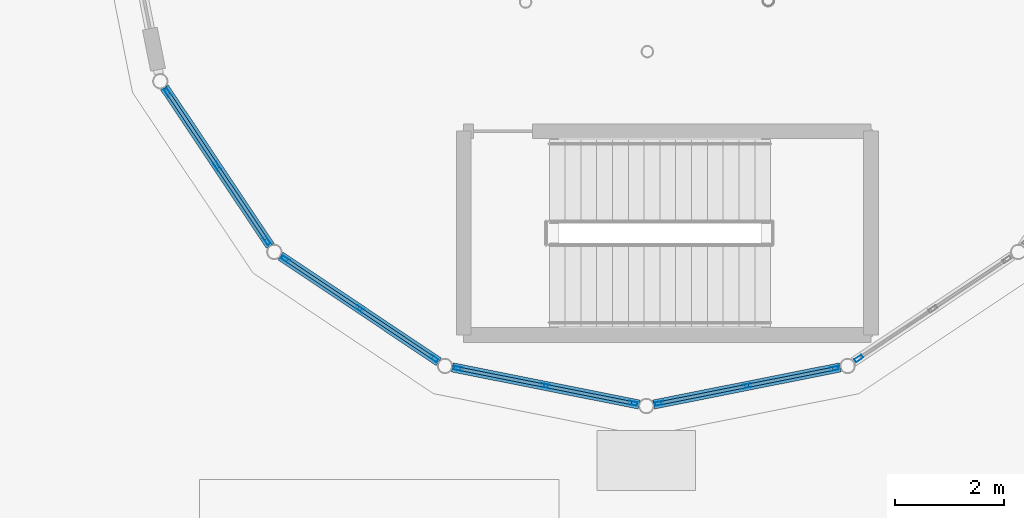
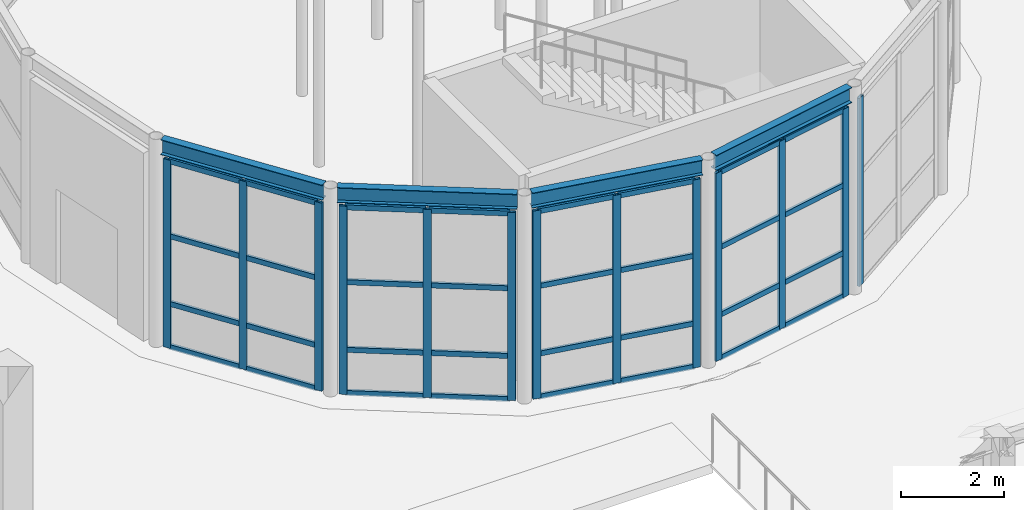
# One storey, part 14 of 57: 45 members, 4 beams, 5 elements without a shape of their own.
"""IFC4 building model written with IfcOpenShell, lengths in metres."""

from ifc_helpers import new_model, si_unit, direction, frame, origin, origin_2d, place, context, subcontext, project, spatial, hollow_rectangle, i_section, extrude, material, layer, layer_set, material_profile, profile_set, type_object, element, aggregate, save


model = new_model("IFC4")

# Units and contexts
model_context = context("Model", 3, precision=1e-05, world=origin(), true_north=direction((0.0, 1.0)))
body_context = subcontext(model_context, "Body", "Model", "MODEL_VIEW")
ifc_project = project(units=[si_unit("LENGTHUNIT", "METRE"), si_unit("AREAUNIT", "SQUARE_METRE"), si_unit("VOLUMEUNIT", "CUBIC_METRE"), si_unit("PLANEANGLEUNIT", "RADIAN"), si_unit("MASSUNIT", "GRAM", prefix="KILO")], contexts=[model_context])

# Site, building, storey
site_placement = place(None, origin())
site = spatial("IfcSite", under=ifc_project, at=site_placement, CompositionType="ELEMENT")
building_placement = place(site_placement, origin())
building = spatial("IfcBuilding", under=site, at=building_placement, Name="Kharisveld Research Institute", CompositionType="ELEMENT")
storey_placement = place(building_placement, origin())
storey = spatial("IfcBuildingStorey", under=building, at=storey_placement, Name="L00", CompositionType="ELEMENT", Elevation=0.0)

# Beams
ifc_material_1 = material(Name="Steel S355JR", Category="steel")
ifc_material_profile_1 = material_profile(ifc_material_1, i_section(OverallWidth=0.169921875, OverallDepth=0.360107421875, WebThickness=0.008056640625, FlangeThickness=0.0126953125, at=origin_2d()))
ifc_profile_set_1 = profile_set([ifc_material_profile_1], Name="Steel S355JR")
beam_type = type_object("IfcBeamType", Name="BM_ST_IPE360", PredefinedType="BEAM", material=ifc_profile_set_1)
for number, where, z_axis, x_axis, name in (
    (1, (50.660400390625, 46.99365234375, 4.739990234375), (0.555554925885, -0.831479839999, 0.0), (0.831479839999, 0.555554925885, 0.0), "BM:V6:L00:RING09"),
    (2, (52.789794921875, 43.900634765625, 4.739990234375), (0.831479839999, -0.555554925885, 0.0), (0.555554925885, 0.831479839999, 0.0), "BM:V6:L00:RING10"),
    (3, (55.94091796875, 41.85791015625, 4.739990234375), (0.980781809383, -0.195107771204, 0.0), (0.195107771204, 0.980781809383, 0.0), "BM:V6:L00:RING11"),
    (4, (59.6337890625, 41.176513671875, 4.739990234375), (0.980781809383, 0.195107771204, 0.0), (-0.195107771204, 0.980781809383, 0.0), "BM:V6:L00:RING12"),
):
    element("IfcBeam", number, at=place(storey_placement, frame(where, z_axis=z_axis, x_axis=x_axis)), inside=storey, type_object=beam_type, Name=name, PredefinedType="BEAM", context=body_context, shape_type="SweptSolid", body=[
        extrude(i_section(OverallWidth=0.169921875, OverallDepth=0.360107421875, WebThickness=0.008056640625, FlangeThickness=0.0126953125, at=origin_2d()), origin(), (0.0, 0.0, 1.0), 3.492431640625),
    ])

# Curtain wall, members
ifc_material_2 = material(Name="Thermally Broken Aluminium Curtain Wall", Category="aluminium")
ifc_layer_1 = layer(ifc_material_2, 0.159912109375)
ifc_layer_set_1 = layer_set([ifc_layer_1], Name="CW_SYS_06")
curtain_wall_type_1 = type_object("IfcCurtainWallType", Name="CW_SYS_06", PredefinedType="NOTDEFINED", material=ifc_layer_set_1)
curtain_wall_1_placement = place(storey_placement, origin())
curtain_wall_1 = element("IfcCurtainWall", 5, at=curtain_wall_1_placement, inside=storey, type_object=curtain_wall_type_1, Name="CW:V6:L00:CHORD09", PredefinedType="NOTDEFINED")
ifc_material_3 = material(Name="Anodised Aluminium AW-6063-T6", Category="aluminium")
ifc_material_profile_2 = material_profile(ifc_material_3, hollow_rectangle(XDim=0.06494140625, YDim=0.159912109375, WallThickness=0.00390625, at=origin_2d()))
ifc_profile_set_2 = profile_set([ifc_material_profile_2], Name="Anodised Aluminium AW-6063-T6")
member_type_1 = type_object("IfcMemberType", Name="CW_MUL_160", PredefinedType="MULLION", material=ifc_profile_set_2)
member_1_placement = place(storey_placement, frame((52.538818359375, 44.18212890625, 0.0), z_axis=(0.0, 0.0, 1.0), x_axis=(-0.831469694616, -0.555570109828, 0.0)))
member_1 = element("IfcMember", 6, at=member_1_placement, type_object=member_type_1, Name="CW-06 mullion 1", PredefinedType="MULLION", context=body_context, shape_type="SweptSolid", body=[
    extrude(hollow_rectangle(XDim=0.06494140625, YDim=0.159912109375, WallThickness=0.00390625, at=origin_2d()), origin(), (0.0, 0.0, 1.0), 4.449951171875),
])
member_2_placement = place(storey_placement, frame((51.63037109375, 45.541748046875, 0.0), z_axis=(0.0, 0.0, 1.0), x_axis=(-0.831469694616, -0.555570109828, 0.0)))
member_2 = element("IfcMember", 7, at=member_2_placement, type_object=member_type_1, Name="CW-06 mullion 2", PredefinedType="MULLION", context=body_context, shape_type="SweptSolid", body=[
    extrude(hollow_rectangle(XDim=0.06494140625, YDim=0.159912109375, WallThickness=0.00390625, at=origin_2d()), origin(), (0.0, 0.0, 1.0), 4.449951171875),
])
member_3_placement = place(storey_placement, frame((50.72216796875, 46.9013671875, 0.0), z_axis=(0.0, 0.0, 1.0), x_axis=(-0.831469694616, -0.555570109828, 0.0)))
member_3 = element("IfcMember", 8, at=member_3_placement, type_object=member_type_1, Name="CW-06 mullion 3", PredefinedType="MULLION", context=body_context, shape_type="SweptSolid", body=[
    extrude(hollow_rectangle(XDim=0.06494140625, YDim=0.159912109375, WallThickness=0.00390625, at=origin_2d()), origin(), (0.0, 0.0, 1.0), 4.449951171875),
])

ifc_material_4 = material(Name="Thermally Broken Aluminium Curtain Wall", Category="aluminium")
ifc_layer_2 = layer(ifc_material_4, 0.159912109375)
ifc_layer_set_2 = layer_set([ifc_layer_2], Name="CW_SYS_01")
curtain_wall_type_2 = type_object("IfcCurtainWallType", Name="CW_SYS_01", PredefinedType="NOTDEFINED", material=ifc_layer_set_2)
curtain_wall_2_placement = place(storey_placement, origin())
curtain_wall_2 = element("IfcCurtainWall", 9, at=curtain_wall_2_placement, inside=storey, type_object=curtain_wall_type_2, Name="CW:V6:L00:CHORD10", PredefinedType="NOTDEFINED")
member_4_placement = place(storey_placement, frame((55.601318359375, 42.02197265625, 0.0), z_axis=(0.0, 0.0, 1.0), x_axis=(-0.555570109828, -0.831469694616, 0.0)))
member_4 = element("IfcMember", 10, at=member_4_placement, type_object=member_type_1, Name="CW-01 mullion 1", PredefinedType="MULLION", context=body_context, shape_type="SweptSolid", body=[
    extrude(hollow_rectangle(XDim=0.06494140625, YDim=0.159912109375, WallThickness=0.00390625, at=origin_2d()), origin(), (0.0, 0.0, 1.0), 4.449951171875),
])
member_5_placement = place(storey_placement, frame((54.24169921875, 42.930419921875, 0.0), z_axis=(0.0, 0.0, 1.0), x_axis=(-0.555570109828, -0.831469694616, 0.0)))
member_5 = element("IfcMember", 11, at=member_5_placement, type_object=member_type_1, Name="CW-01 mullion 2", PredefinedType="MULLION", context=body_context, shape_type="SweptSolid", body=[
    extrude(hollow_rectangle(XDim=0.06494140625, YDim=0.159912109375, WallThickness=0.00390625, at=origin_2d()), origin(), (0.0, 0.0, 1.0), 4.449951171875),
])
member_6_placement = place(storey_placement, frame((52.88232421875, 43.8388671875, 0.0), z_axis=(0.0, 0.0, 1.0), x_axis=(-0.555570109828, -0.831469694616, 0.0)))
member_6 = element("IfcMember", 12, at=member_6_placement, type_object=member_type_1, Name="CW-01 mullion 3", PredefinedType="MULLION", context=body_context, shape_type="SweptSolid", body=[
    extrude(hollow_rectangle(XDim=0.06494140625, YDim=0.159912109375, WallThickness=0.00390625, at=origin_2d()), origin(), (0.0, 0.0, 1.0), 4.449951171875),
])

ifc_material_5 = material(Name="Thermally Broken Aluminium Curtain Wall", Category="aluminium")
ifc_layer_3 = layer(ifc_material_5, 0.159912109375)
ifc_layer_set_3 = layer_set([ifc_layer_3], Name="CW_SYS_02")
curtain_wall_type_3 = type_object("IfcCurtainWallType", Name="CW_SYS_02", PredefinedType="NOTDEFINED", material=ifc_layer_set_3)
curtain_wall_3_placement = place(storey_placement, origin())
curtain_wall_3 = element("IfcCurtainWall", 13, at=curtain_wall_3_placement, inside=storey, type_object=curtain_wall_type_3, Name="CW:V6:L00:CHORD11", PredefinedType="NOTDEFINED")
member_7_placement = place(storey_placement, frame((59.25732421875, 41.1982421875, 0.0), z_axis=(0.0, 0.0, 1.0), x_axis=(-0.195090730724, -0.980785199106, 0.0)))
member_7 = element("IfcMember", 14, at=member_7_placement, type_object=member_type_1, Name="CW-02 mullion 1", PredefinedType="MULLION", context=body_context, shape_type="SweptSolid", body=[
    extrude(hollow_rectangle(XDim=0.06494140625, YDim=0.159912109375, WallThickness=0.00390625, at=origin_2d()), origin(), (0.0, 0.0, 1.0), 4.449951171875),
])
member_8_placement = place(storey_placement, frame((57.653564453125, 41.517333984375, 0.0), z_axis=(0.0, 0.0, 1.0), x_axis=(-0.195090730724, -0.980785199106, 0.0)))
member_8 = element("IfcMember", 15, at=member_8_placement, type_object=member_type_1, Name="CW-02 mullion 2", PredefinedType="MULLION", context=body_context, shape_type="SweptSolid", body=[
    extrude(hollow_rectangle(XDim=0.06494140625, YDim=0.159912109375, WallThickness=0.00390625, at=origin_2d()), origin(), (0.0, 0.0, 1.0), 4.449951171875),
])
member_9_placement = place(storey_placement, frame((56.0498046875, 41.836181640625, 0.0), z_axis=(0.0, 0.0, 1.0), x_axis=(-0.195090730724, -0.980785199106, 0.0)))
member_9 = element("IfcMember", 16, at=member_9_placement, type_object=member_type_1, Name="CW-02 mullion 3", PredefinedType="MULLION", context=body_context, shape_type="SweptSolid", body=[
    extrude(hollow_rectangle(XDim=0.06494140625, YDim=0.159912109375, WallThickness=0.00390625, at=origin_2d()), origin(), (0.0, 0.0, 1.0), 4.449951171875),
])

ifc_material_6 = material(Name="Thermally Broken Aluminium Curtain Wall", Category="aluminium")
ifc_layer_4 = layer(ifc_material_6, 0.159912109375)
ifc_layer_set_4 = layer_set([ifc_layer_4], Name="CW_SYS_03")
curtain_wall_type_4 = type_object("IfcCurtainWallType", Name="CW_SYS_03", PredefinedType="NOTDEFINED", material=ifc_layer_set_4)
curtain_wall_4_placement = place(storey_placement, origin())
curtain_wall_4 = element("IfcCurtainWall", 17, at=curtain_wall_4_placement, inside=storey, type_object=curtain_wall_type_4, Name="CW:V6:L00:CHORD12", PredefinedType="NOTDEFINED")
member_10_placement = place(storey_placement, frame((62.9501953125, 41.836181640625, 0.0), z_axis=(0.0, 0.0, 1.0), x_axis=(0.195090730724, -0.980785199106, 0.0)))
member_10 = element("IfcMember", 18, at=member_10_placement, type_object=member_type_1, Name="CW-03 mullion 1", PredefinedType="MULLION", context=body_context, shape_type="SweptSolid", body=[
    extrude(hollow_rectangle(XDim=0.06494140625, YDim=0.159912109375, WallThickness=0.00390625, at=origin_2d()), origin(), (0.0, 0.0, 1.0), 4.449951171875),
])
member_11_placement = place(storey_placement, frame((61.346435546875, 41.517333984375, 0.0), z_axis=(0.0, 0.0, 1.0), x_axis=(0.195090730724, -0.980785199106, 0.0)))
member_11 = element("IfcMember", 19, at=member_11_placement, type_object=member_type_1, Name="CW-03 mullion 2", PredefinedType="MULLION", context=body_context, shape_type="SweptSolid", body=[
    extrude(hollow_rectangle(XDim=0.06494140625, YDim=0.159912109375, WallThickness=0.00390625, at=origin_2d()), origin(), (0.0, 0.0, 1.0), 4.449951171875),
])
member_12_placement = place(storey_placement, frame((59.74267578125, 41.1982421875, 0.0), z_axis=(0.0, 0.0, 1.0), x_axis=(0.195090730724, -0.980785199106, 0.0)))
member_12 = element("IfcMember", 20, at=member_12_placement, type_object=member_type_1, Name="CW-03 mullion 3", PredefinedType="MULLION", context=body_context, shape_type="SweptSolid", body=[
    extrude(hollow_rectangle(XDim=0.06494140625, YDim=0.159912109375, WallThickness=0.00390625, at=origin_2d()), origin(), (0.0, 0.0, 1.0), 4.449951171875),
])

# Curtain wall, member
ifc_material_7 = material(Name="Thermally Broken Aluminium Curtain Wall", Category="aluminium")
ifc_layer_5 = layer(ifc_material_7, 0.159912109375)
ifc_layer_set_5 = layer_set([ifc_layer_5], Name="CW_SYS_04")
curtain_wall_type_5 = type_object("IfcCurtainWallType", Name="CW_SYS_04", PredefinedType="NOTDEFINED", material=ifc_layer_set_5)
curtain_wall_5_placement = place(storey_placement, origin())
curtain_wall_5 = element("IfcCurtainWall", 21, at=curtain_wall_5_placement, inside=storey, type_object=curtain_wall_type_5, Name="CW:V6:L00:CHORD13", PredefinedType="NOTDEFINED")
member_13_placement = place(storey_placement, frame((63.398681640625, 42.02197265625, 0.0), z_axis=(0.0, 0.0, 1.0), x_axis=(0.555570109828, -0.831469694616, 0.0)))
member_13 = element("IfcMember", 22, at=member_13_placement, type_object=member_type_1, Name="CW-04 mullion 3", PredefinedType="MULLION", context=body_context, shape_type="SweptSolid", body=[
    extrude(hollow_rectangle(XDim=0.06494140625, YDim=0.159912109375, WallThickness=0.00390625, at=origin_2d()), origin(), (0.0, 0.0, 1.0), 4.449951171875),
])
aggregate(curtain_wall_5, [member_13])

# Member
ifc_material_8 = material(Name="Anodised Aluminium AW-6063-T6", Category="aluminium")
ifc_material_profile_3 = material_profile(ifc_material_8, hollow_rectangle(XDim=0.06005859375, YDim=0.1201171875, WallThickness=0.00390625, at=origin_2d()))
ifc_profile_set_3 = profile_set([ifc_material_profile_3], Name="Anodised Aluminium AW-6063-T6")
member_type_2 = type_object("IfcMemberType", Name="CW_TRN_120", PredefinedType="USERDEFINED", material=ifc_profile_set_3)
member_14_placement = place(storey_placement, frame((52.520751953125, 44.209228515625, 0.030029296875), z_axis=(-0.555596981897, 0.831451738652, 0.0), x_axis=(-0.831451738652, -0.555596981897, 0.0)))
member_14 = element("IfcMember", 23, at=member_14_placement, type_object=member_type_2, Name="CW-06 transom 1.1", ObjectType="TRANSOM", PredefinedType="USERDEFINED", context=body_context, shape_type="SweptSolid", body=[
    extrude(hollow_rectangle(XDim=0.06005859375, YDim=0.1201171875, WallThickness=0.00390625, at=origin_2d()), origin(), (0.0, 0.0, 1.0), 1.570068359375),
])

member_15_placement = place(storey_placement, frame((52.520751953125, 44.209228515625, 1.050048828125), z_axis=(-0.555596981897, 0.831451738652, 0.0), x_axis=(-0.831451738652, -0.555596981897, 0.0)))
member_15 = element("IfcMember", 24, at=member_15_placement, type_object=member_type_2, Name="CW-06 transom 1.2", ObjectType="TRANSOM", PredefinedType="USERDEFINED", context=body_context, shape_type="SweptSolid", body=[
    extrude(hollow_rectangle(XDim=0.06005859375, YDim=0.1201171875, WallThickness=0.00390625, at=origin_2d()), origin(), (0.0, 0.0, 1.0), 1.570068359375),
])

member_16_placement = place(storey_placement, frame((52.520751953125, 44.209228515625, 2.64990234375), z_axis=(-0.555596981897, 0.831451738652, 0.0), x_axis=(-0.831451738652, -0.555596981897, 0.0)))
member_16 = element("IfcMember", 25, at=member_16_placement, type_object=member_type_2, Name="CW-06 transom 1.3", ObjectType="TRANSOM", PredefinedType="USERDEFINED", context=body_context, shape_type="SweptSolid", body=[
    extrude(hollow_rectangle(XDim=0.06005859375, YDim=0.1201171875, WallThickness=0.00390625, at=origin_2d()), origin(), (0.0, 0.0, 1.0), 1.570068359375),
])

member_17_placement = place(storey_placement, frame((52.520751953125, 44.209228515625, 4.419921875), z_axis=(-0.555596981897, 0.831451738652, 0.0), x_axis=(-0.831451738652, -0.555596981897, 0.0)))
member_17 = element("IfcMember", 26, at=member_17_placement, type_object=member_type_2, Name="CW-06 transom 1.4", ObjectType="TRANSOM", PredefinedType="USERDEFINED", context=body_context, shape_type="SweptSolid", body=[
    extrude(hollow_rectangle(XDim=0.06005859375, YDim=0.1201171875, WallThickness=0.00390625, at=origin_2d()), origin(), (0.0, 0.0, 1.0), 1.570068359375),
])

member_18_placement = place(storey_placement, frame((51.612548828125, 45.56884765625, 0.030029296875), z_axis=(-0.555596981897, 0.831451738652, 0.0), x_axis=(-0.831451738652, -0.555596981897, 0.0)))
member_18 = element("IfcMember", 27, at=member_18_placement, type_object=member_type_2, Name="CW-06 transom 2.1", ObjectType="TRANSOM", PredefinedType="USERDEFINED", context=body_context, shape_type="SweptSolid", body=[
    extrude(hollow_rectangle(XDim=0.06005859375, YDim=0.1201171875, WallThickness=0.00390625, at=origin_2d()), origin(), (0.0, 0.0, 1.0), 1.570068359375),
])

member_19_placement = place(storey_placement, frame((51.612548828125, 45.56884765625, 1.050048828125), z_axis=(-0.555596981897, 0.831451738652, 0.0), x_axis=(-0.831451738652, -0.555596981897, 0.0)))
member_19 = element("IfcMember", 28, at=member_19_placement, type_object=member_type_2, Name="CW-06 transom 2.2", ObjectType="TRANSOM", PredefinedType="USERDEFINED", context=body_context, shape_type="SweptSolid", body=[
    extrude(hollow_rectangle(XDim=0.06005859375, YDim=0.1201171875, WallThickness=0.00390625, at=origin_2d()), origin(), (0.0, 0.0, 1.0), 1.570068359375),
])

member_20_placement = place(storey_placement, frame((51.612548828125, 45.56884765625, 2.64990234375), z_axis=(-0.555596981897, 0.831451738652, 0.0), x_axis=(-0.831451738652, -0.555596981897, 0.0)))
member_20 = element("IfcMember", 29, at=member_20_placement, type_object=member_type_2, Name="CW-06 transom 2.3", ObjectType="TRANSOM", PredefinedType="USERDEFINED", context=body_context, shape_type="SweptSolid", body=[
    extrude(hollow_rectangle(XDim=0.06005859375, YDim=0.1201171875, WallThickness=0.00390625, at=origin_2d()), origin(), (0.0, 0.0, 1.0), 1.570068359375),
])

member_21_placement = place(storey_placement, frame((51.612548828125, 45.56884765625, 4.419921875), z_axis=(-0.555596981897, 0.831451738652, 0.0), x_axis=(-0.831451738652, -0.555596981897, 0.0)))
member_21 = element("IfcMember", 30, at=member_21_placement, type_object=member_type_2, Name="CW-06 transom 2.4", ObjectType="TRANSOM", PredefinedType="USERDEFINED", context=body_context, shape_type="SweptSolid", body=[
    extrude(hollow_rectangle(XDim=0.06005859375, YDim=0.1201171875, WallThickness=0.00390625, at=origin_2d()), origin(), (0.0, 0.0, 1.0), 1.570068359375),
])

aggregate(curtain_wall_1, [member_1, member_2, member_3, member_14, member_15, member_16, member_17, member_18, member_19, member_20, member_21])

member_22_placement = place(storey_placement, frame((55.57421875, 42.0400390625, 0.030029296875), z_axis=(-0.831451738652, 0.555596981897, 0.0), x_axis=(-0.555596981897, -0.831451738652, 0.0)))
member_22 = element("IfcMember", 31, at=member_22_placement, type_object=member_type_2, Name="CW-01 transom 1.1", ObjectType="TRANSOM", PredefinedType="USERDEFINED", context=body_context, shape_type="SweptSolid", body=[
    extrude(hollow_rectangle(XDim=0.06005859375, YDim=0.1201171875, WallThickness=0.00390625, at=origin_2d()), origin(), (0.0, 0.0, 1.0), 1.570068359375),
])

member_23_placement = place(storey_placement, frame((55.57421875, 42.0400390625, 1.050048828125), z_axis=(-0.831451738652, 0.555596981897, 0.0), x_axis=(-0.555596981897, -0.831451738652, 0.0)))
member_23 = element("IfcMember", 32, at=member_23_placement, type_object=member_type_2, Name="CW-01 transom 1.2", ObjectType="TRANSOM", PredefinedType="USERDEFINED", context=body_context, shape_type="SweptSolid", body=[
    extrude(hollow_rectangle(XDim=0.06005859375, YDim=0.1201171875, WallThickness=0.00390625, at=origin_2d()), origin(), (0.0, 0.0, 1.0), 1.570068359375),
])

member_24_placement = place(storey_placement, frame((55.57421875, 42.0400390625, 2.64990234375), z_axis=(-0.831451738652, 0.555596981897, 0.0), x_axis=(-0.555596981897, -0.831451738652, 0.0)))
member_24 = element("IfcMember", 33, at=member_24_placement, type_object=member_type_2, Name="CW-01 transom 1.3", ObjectType="TRANSOM", PredefinedType="USERDEFINED", context=body_context, shape_type="SweptSolid", body=[
    extrude(hollow_rectangle(XDim=0.06005859375, YDim=0.1201171875, WallThickness=0.00390625, at=origin_2d()), origin(), (0.0, 0.0, 1.0), 1.570068359375),
])

member_25_placement = place(storey_placement, frame((55.57421875, 42.0400390625, 4.419921875), z_axis=(-0.831451738652, 0.555596981897, 0.0), x_axis=(-0.555596981897, -0.831451738652, 0.0)))
member_25 = element("IfcMember", 34, at=member_25_placement, type_object=member_type_2, Name="CW-01 transom 1.4", ObjectType="TRANSOM", PredefinedType="USERDEFINED", context=body_context, shape_type="SweptSolid", body=[
    extrude(hollow_rectangle(XDim=0.06005859375, YDim=0.1201171875, WallThickness=0.00390625, at=origin_2d()), origin(), (0.0, 0.0, 1.0), 1.570068359375),
])

member_26_placement = place(storey_placement, frame((54.21484375, 42.948486328125, 0.030029296875), z_axis=(-0.831499729939, 0.555525156147, 0.0), x_axis=(-0.555525156147, -0.831499729939, 0.0)))
member_26 = element("IfcMember", 35, at=member_26_placement, type_object=member_type_2, Name="CW-01 transom 2.1", ObjectType="TRANSOM", PredefinedType="USERDEFINED", context=body_context, shape_type="SweptSolid", body=[
    extrude(hollow_rectangle(XDim=0.06005859375, YDim=0.1201171875, WallThickness=0.00390625, at=origin_2d()), origin(), (0.0, 0.0, 1.0), 1.5703125),
])

member_27_placement = place(storey_placement, frame((54.21484375, 42.948486328125, 1.050048828125), z_axis=(-0.831499729939, 0.555525156147, 0.0), x_axis=(-0.555525156147, -0.831499729939, 0.0)))
member_27 = element("IfcMember", 36, at=member_27_placement, type_object=member_type_2, Name="CW-01 transom 2.2", ObjectType="TRANSOM", PredefinedType="USERDEFINED", context=body_context, shape_type="SweptSolid", body=[
    extrude(hollow_rectangle(XDim=0.06005859375, YDim=0.1201171875, WallThickness=0.00390625, at=origin_2d()), origin(), (0.0, 0.0, 1.0), 1.5703125),
])

member_28_placement = place(storey_placement, frame((54.21484375, 42.948486328125, 2.64990234375), z_axis=(-0.831499729939, 0.555525156147, 0.0), x_axis=(-0.555525156147, -0.831499729939, 0.0)))
member_28 = element("IfcMember", 37, at=member_28_placement, type_object=member_type_2, Name="CW-01 transom 2.3", ObjectType="TRANSOM", PredefinedType="USERDEFINED", context=body_context, shape_type="SweptSolid", body=[
    extrude(hollow_rectangle(XDim=0.06005859375, YDim=0.1201171875, WallThickness=0.00390625, at=origin_2d()), origin(), (0.0, 0.0, 1.0), 1.5703125),
])

member_29_placement = place(storey_placement, frame((54.21484375, 42.948486328125, 4.419921875), z_axis=(-0.831499729939, 0.555525156147, 0.0), x_axis=(-0.555525156147, -0.831499729939, 0.0)))
member_29 = element("IfcMember", 38, at=member_29_placement, type_object=member_type_2, Name="CW-01 transom 2.4", ObjectType="TRANSOM", PredefinedType="USERDEFINED", context=body_context, shape_type="SweptSolid", body=[
    extrude(hollow_rectangle(XDim=0.06005859375, YDim=0.1201171875, WallThickness=0.00390625, at=origin_2d()), origin(), (0.0, 0.0, 1.0), 1.5703125),
])

aggregate(curtain_wall_2, [member_4, member_5, member_6, member_22, member_23, member_24, member_25, member_26, member_27, member_28, member_29])

member_30_placement = place(storey_placement, frame((59.225341796875, 41.20458984375, 0.030029296875), z_axis=(-0.980771599816, 0.195159086375, 0.0), x_axis=(-0.195159086375, -0.980771599816, 0.0)))
member_30 = element("IfcMember", 39, at=member_30_placement, type_object=member_type_2, Name="CW-02 transom 1.1", ObjectType="TRANSOM", PredefinedType="USERDEFINED", context=body_context, shape_type="SweptSolid", body=[
    extrude(hollow_rectangle(XDim=0.06005859375, YDim=0.1201171875, WallThickness=0.00390625, at=origin_2d()), origin(), (0.0, 0.0, 1.0), 1.570068359375),
])

member_31_placement = place(storey_placement, frame((59.225341796875, 41.20458984375, 1.050048828125), z_axis=(-0.980771599816, 0.195159086375, 0.0), x_axis=(-0.195159086375, -0.980771599816, 0.0)))
member_31 = element("IfcMember", 40, at=member_31_placement, type_object=member_type_2, Name="CW-02 transom 1.2", ObjectType="TRANSOM", PredefinedType="USERDEFINED", context=body_context, shape_type="SweptSolid", body=[
    extrude(hollow_rectangle(XDim=0.06005859375, YDim=0.1201171875, WallThickness=0.00390625, at=origin_2d()), origin(), (0.0, 0.0, 1.0), 1.570068359375),
])

member_32_placement = place(storey_placement, frame((59.225341796875, 41.20458984375, 2.64990234375), z_axis=(-0.980771599816, 0.195159086375, 0.0), x_axis=(-0.195159086375, -0.980771599816, 0.0)))
member_32 = element("IfcMember", 41, at=member_32_placement, type_object=member_type_2, Name="CW-02 transom 1.3", ObjectType="TRANSOM", PredefinedType="USERDEFINED", context=body_context, shape_type="SweptSolid", body=[
    extrude(hollow_rectangle(XDim=0.06005859375, YDim=0.1201171875, WallThickness=0.00390625, at=origin_2d()), origin(), (0.0, 0.0, 1.0), 1.570068359375),
])

member_33_placement = place(storey_placement, frame((59.225341796875, 41.20458984375, 4.419921875), z_axis=(-0.980771599816, 0.195159086375, 0.0), x_axis=(-0.195159086375, -0.980771599816, 0.0)))
member_33 = element("IfcMember", 42, at=member_33_placement, type_object=member_type_2, Name="CW-02 transom 1.4", ObjectType="TRANSOM", PredefinedType="USERDEFINED", context=body_context, shape_type="SweptSolid", body=[
    extrude(hollow_rectangle(XDim=0.06005859375, YDim=0.1201171875, WallThickness=0.00390625, at=origin_2d()), origin(), (0.0, 0.0, 1.0), 1.570068359375),
])

member_34_placement = place(storey_placement, frame((57.62158203125, 41.523681640625, 0.030029296875), z_axis=(-0.980801354025, 0.195009497058, 0.0), x_axis=(-0.195009497058, -0.980801354025, 0.0)))
member_34 = element("IfcMember", 43, at=member_34_placement, type_object=member_type_2, Name="CW-02 transom 2.1", ObjectType="TRANSOM", PredefinedType="USERDEFINED", context=body_context, shape_type="SweptSolid", body=[
    extrude(hollow_rectangle(XDim=0.06005859375, YDim=0.1201171875, WallThickness=0.00390625, at=origin_2d()), origin(), (0.0, 0.0, 1.0), 1.56982421875),
])

member_35_placement = place(storey_placement, frame((57.62158203125, 41.523681640625, 1.050048828125), z_axis=(-0.980801354025, 0.195009497058, 0.0), x_axis=(-0.195009497058, -0.980801354025, 0.0)))
member_35 = element("IfcMember", 44, at=member_35_placement, type_object=member_type_2, Name="CW-02 transom 2.2", ObjectType="TRANSOM", PredefinedType="USERDEFINED", context=body_context, shape_type="SweptSolid", body=[
    extrude(hollow_rectangle(XDim=0.06005859375, YDim=0.1201171875, WallThickness=0.00390625, at=origin_2d()), origin(), (0.0, 0.0, 1.0), 1.56982421875),
])

member_36_placement = place(storey_placement, frame((57.62158203125, 41.523681640625, 2.64990234375), z_axis=(-0.980801354025, 0.195009497058, 0.0), x_axis=(-0.195009497058, -0.980801354025, 0.0)))
member_36 = element("IfcMember", 45, at=member_36_placement, type_object=member_type_2, Name="CW-02 transom 2.3", ObjectType="TRANSOM", PredefinedType="USERDEFINED", context=body_context, shape_type="SweptSolid", body=[
    extrude(hollow_rectangle(XDim=0.06005859375, YDim=0.1201171875, WallThickness=0.00390625, at=origin_2d()), origin(), (0.0, 0.0, 1.0), 1.56982421875),
])

member_37_placement = place(storey_placement, frame((57.62158203125, 41.523681640625, 4.419921875), z_axis=(-0.980801354025, 0.195009497058, 0.0), x_axis=(-0.195009497058, -0.980801354025, 0.0)))
member_37 = element("IfcMember", 46, at=member_37_placement, type_object=member_type_2, Name="CW-02 transom 2.4", ObjectType="TRANSOM", PredefinedType="USERDEFINED", context=body_context, shape_type="SweptSolid", body=[
    extrude(hollow_rectangle(XDim=0.06005859375, YDim=0.1201171875, WallThickness=0.00390625, at=origin_2d()), origin(), (0.0, 0.0, 1.0), 1.56982421875),
])

aggregate(curtain_wall_3, [member_7, member_8, member_9, member_30, member_31, member_32, member_33, member_34, member_35, member_36, member_37])

member_38_placement = place(storey_placement, frame((62.918212890625, 41.829833984375, 0.030029296875), z_axis=(-0.980801354025, -0.195009497058, 0.0), x_axis=(0.195009497058, -0.980801354025, 0.0)))
member_38 = element("IfcMember", 47, at=member_38_placement, type_object=member_type_2, Name="CW-03 transom 1.1", ObjectType="TRANSOM", PredefinedType="USERDEFINED", context=body_context, shape_type="SweptSolid", body=[
    extrude(hollow_rectangle(XDim=0.06005859375, YDim=0.1201171875, WallThickness=0.00390625, at=origin_2d()), origin(), (0.0, 0.0, 1.0), 1.56982421875),
])

member_39_placement = place(storey_placement, frame((62.918212890625, 41.829833984375, 1.050048828125), z_axis=(-0.980801354025, -0.195009497058, 0.0), x_axis=(0.195009497058, -0.980801354025, 0.0)))
member_39 = element("IfcMember", 48, at=member_39_placement, type_object=member_type_2, Name="CW-03 transom 1.2", ObjectType="TRANSOM", PredefinedType="USERDEFINED", context=body_context, shape_type="SweptSolid", body=[
    extrude(hollow_rectangle(XDim=0.06005859375, YDim=0.1201171875, WallThickness=0.00390625, at=origin_2d()), origin(), (0.0, 0.0, 1.0), 1.56982421875),
])

member_40_placement = place(storey_placement, frame((62.918212890625, 41.829833984375, 2.64990234375), z_axis=(-0.980801354025, -0.195009497058, 0.0), x_axis=(0.195009497058, -0.980801354025, 0.0)))
member_40 = element("IfcMember", 49, at=member_40_placement, type_object=member_type_2, Name="CW-03 transom 1.3", ObjectType="TRANSOM", PredefinedType="USERDEFINED", context=body_context, shape_type="SweptSolid", body=[
    extrude(hollow_rectangle(XDim=0.06005859375, YDim=0.1201171875, WallThickness=0.00390625, at=origin_2d()), origin(), (0.0, 0.0, 1.0), 1.56982421875),
])

member_41_placement = place(storey_placement, frame((62.918212890625, 41.829833984375, 4.419921875), z_axis=(-0.980801354025, -0.195009497058, 0.0), x_axis=(0.195009497058, -0.980801354025, 0.0)))
member_41 = element("IfcMember", 50, at=member_41_placement, type_object=member_type_2, Name="CW-03 transom 1.4", ObjectType="TRANSOM", PredefinedType="USERDEFINED", context=body_context, shape_type="SweptSolid", body=[
    extrude(hollow_rectangle(XDim=0.06005859375, YDim=0.1201171875, WallThickness=0.00390625, at=origin_2d()), origin(), (0.0, 0.0, 1.0), 1.56982421875),
])

member_42_placement = place(storey_placement, frame((61.314453125, 41.510986328125, 0.030029296875), z_axis=(-0.980771599816, -0.195159086375, 0.0), x_axis=(0.195159086375, -0.980771599816, 0.0)))
member_42 = element("IfcMember", 51, at=member_42_placement, type_object=member_type_2, Name="CW-03 transom 2.1", ObjectType="TRANSOM", PredefinedType="USERDEFINED", context=body_context, shape_type="SweptSolid", body=[
    extrude(hollow_rectangle(XDim=0.06005859375, YDim=0.1201171875, WallThickness=0.00390625, at=origin_2d()), origin(), (0.0, 0.0, 1.0), 1.570068359375),
])

member_43_placement = place(storey_placement, frame((61.314453125, 41.510986328125, 1.050048828125), z_axis=(-0.980771599816, -0.195159086375, 0.0), x_axis=(0.195159086375, -0.980771599816, 0.0)))
member_43 = element("IfcMember", 52, at=member_43_placement, type_object=member_type_2, Name="CW-03 transom 2.2", ObjectType="TRANSOM", PredefinedType="USERDEFINED", context=body_context, shape_type="SweptSolid", body=[
    extrude(hollow_rectangle(XDim=0.06005859375, YDim=0.1201171875, WallThickness=0.00390625, at=origin_2d()), origin(), (0.0, 0.0, 1.0), 1.570068359375),
])

member_44_placement = place(storey_placement, frame((61.314453125, 41.510986328125, 2.64990234375), z_axis=(-0.980771599816, -0.195159086375, 0.0), x_axis=(0.195159086375, -0.980771599816, 0.0)))
member_44 = element("IfcMember", 53, at=member_44_placement, type_object=member_type_2, Name="CW-03 transom 2.3", ObjectType="TRANSOM", PredefinedType="USERDEFINED", context=body_context, shape_type="SweptSolid", body=[
    extrude(hollow_rectangle(XDim=0.06005859375, YDim=0.1201171875, WallThickness=0.00390625, at=origin_2d()), origin(), (0.0, 0.0, 1.0), 1.570068359375),
])

member_45_placement = place(storey_placement, frame((61.314453125, 41.510986328125, 4.419921875), z_axis=(-0.980771599816, -0.195159086375, 0.0), x_axis=(0.195159086375, -0.980771599816, 0.0)))
member_45 = element("IfcMember", 54, at=member_45_placement, type_object=member_type_2, Name="CW-03 transom 2.4", ObjectType="TRANSOM", PredefinedType="USERDEFINED", context=body_context, shape_type="SweptSolid", body=[
    extrude(hollow_rectangle(XDim=0.06005859375, YDim=0.1201171875, WallThickness=0.00390625, at=origin_2d()), origin(), (0.0, 0.0, 1.0), 1.570068359375),
])

aggregate(curtain_wall_4, [member_10, member_11, member_12, member_38, member_39, member_40, member_41, member_42, member_43, member_44, member_45])

save(model, "model.ifc")
